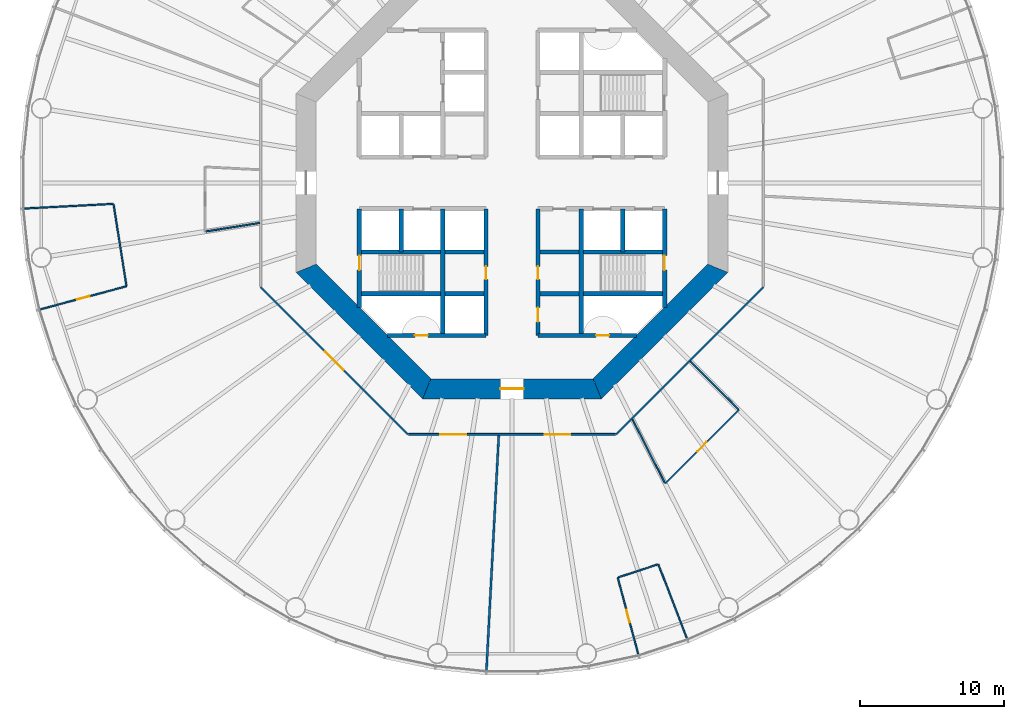
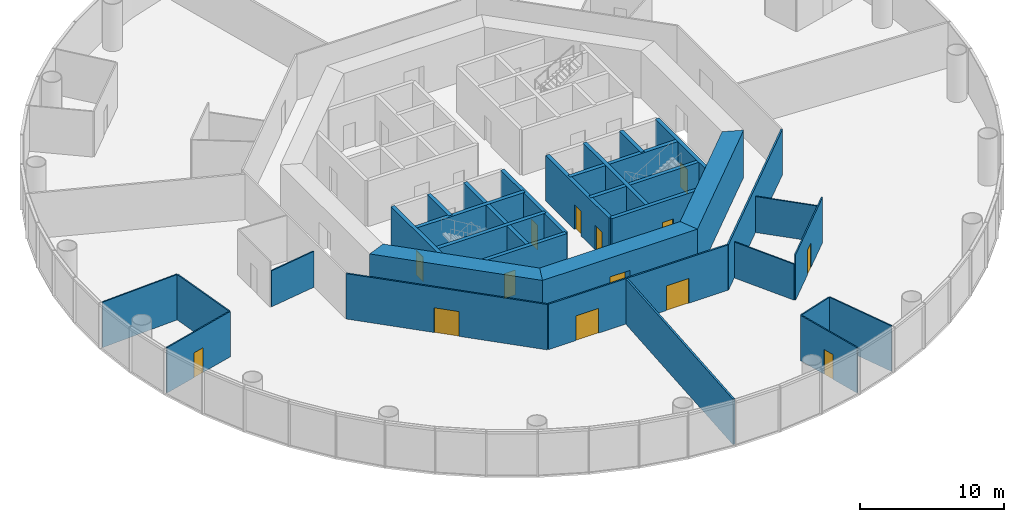
# One storey, part 3 of 12: 31 walls, 14 doors, 14 openings.
"""IFC4 building model written with IfcOpenShell, lengths in metres."""

from ifc_helpers import new_model, si_unit, direction, frame, frame_2d, origin, place, context, subcontext, project, spatial, polyline, rectangle, outline, extrude, material, layer, layer_set, type_object, element, fill, save


model = new_model("IFC4")

# Units and contexts
model_context = context("Model", 3, precision=1e-05, world=origin(), true_north=direction((0.0, 1.0)))
body_context = subcontext(model_context, "Body", "Model", "MODEL_VIEW")
ifc_project = project(units=[si_unit("LENGTHUNIT", "METRE"), si_unit("AREAUNIT", "SQUARE_METRE"), si_unit("VOLUMEUNIT", "CUBIC_METRE"), si_unit("PLANEANGLEUNIT", "RADIAN"), si_unit("MASSUNIT", "GRAM", prefix="KILO")], contexts=[model_context])

# Site, building, storey
site_placement = place(None, origin())
site = spatial("IfcSite", under=ifc_project, at=site_placement, CompositionType="ELEMENT")
building_placement = place(site_placement, origin())
building = spatial("IfcBuilding", under=site, at=building_placement, Name="Entoto Ring Tower", CompositionType="ELEMENT")
storey_placement = place(building_placement, frame((0.0, 0.0, 66.0)))
storey = spatial("IfcBuildingStorey", under=building, at=storey_placement, Name="L14", CompositionType="ELEMENT", Elevation=66.0)

# Wall, opening, door
ifc_material_1 = material(Name="Concrete C40/50", Category="concrete")
ifc_layer_1 = layer(ifc_material_1, 0.300048828125)
ifc_layer_set_1 = layer_set([ifc_layer_1], Name="Concrete C40/50")
wall_type_1 = type_object("IfcWallType", Name="Core enclosure wall 300 mm reinforced concrete", PredefinedType="SOLIDWALL", material=ifc_layer_set_1)
wall_1_placement = place(storey_placement, frame((100.60009765625, 71.36669921875, 0.0), z_axis=(0.0, 0.0, 1.0), x_axis=(0.0, 1.0, 0.0)))
wall_1 = element("IfcWall", 1, at=wall_1_placement, inside=storey, type_object=wall_type_1, Name="wall-L14-001", PredefinedType="SOLIDWALL", context=body_context, shape_type="SweptSolid", body=[
    extrude(rectangle(XDim=6.833251953125, YDim=0.300048828125, at=frame_2d((3.41650390625, 0.0))), origin(), (0.0, 0.0, 1.0), 3.85009765625),
])
opening_1_placement = place(wall_1_placement, frame((2.583251953125, 0.0, 0.0)))
opening_1 = element("IfcOpeningElement", 2, at=opening_1_placement, cuts=wall_1, Name="Opening K-61", PredefinedType="OPENING", context=body_context, shape_type="SweptSolid", body=[
    extrude(rectangle(XDim=1.0, YDim=2.10009765625, at=frame_2d((0.5, 1.050048828125))), frame((0.0, 0.16015625, 0.0), z_axis=(0.0, -1.0, 0.0), x_axis=(1.0, 0.0, 0.0)), (0.0, 0.0, 1.0), 0.320068359375),
])
ifc_material_2 = material(Name="Steel door leaf, fire rated", Category="steel")
ifc_layer_2 = layer(ifc_material_2, 0.050048828125)
ifc_layer_set_2 = layer_set([ifc_layer_2], Name="Steel door leaf, fire rated")
door_type_1 = type_object("IfcDoorType", Name="Fire door FD60 1000 x 2100 single leaf", OperationType="NOTDEFINED", PredefinedType="DOOR", material=ifc_layer_set_2)
door_1_placement = place(opening_1_placement, origin())
door_1 = element("IfcDoor", 3, at=door_1_placement, inside=storey, type_object=door_type_1, Name="Door K-61", OperationType="SINGLE_SWING_RIGHT", OverallHeight=2.10009765625, OverallWidth=1.0, PredefinedType="DOOR", context=body_context, shape_type="SweptSolid", body=[
    extrude(rectangle(XDim=1.0, YDim=2.10009765625, at=frame_2d((0.5, 1.050048828125))), frame((0.0, 0.02490234375, 0.0), z_axis=(0.0, -1.0, 0.0), x_axis=(1.0, 0.0, 0.0)), (0.0, 0.0, 1.0), 0.050048828125),
])
fill(opening_1, door_1)

# Walls
wall_2_placement = place(storey_placement, frame((97.699951171875, 75.199951171875, 0.0), z_axis=(0.0, 0.0, 1.0), x_axis=(0.0, 1.0, 0.0)))
element("IfcWall", 4, at=wall_2_placement, inside=storey, type_object=wall_type_1, Name="wall-L14-003", PredefinedType="SOLIDWALL", context=body_context, shape_type="SweptSolid", body=[
    extrude(rectangle(XDim=3.0, YDim=0.300048828125, at=frame_2d((1.5, 0.0))), origin(), (0.0, 0.0, 1.0), 3.85009765625),
])
wall_3_placement = place(storey_placement, frame((94.800048828125, 69.39990234375, 0.0), z_axis=(0.0, 0.0, 1.0), x_axis=(0.0, 1.0, 0.0)))
element("IfcWall", 5, at=wall_3_placement, inside=storey, type_object=wall_type_1, Name="wall-L14-005", PredefinedType="SOLIDWALL", context=body_context, shape_type="SweptSolid", body=[
    extrude(rectangle(XDim=8.800048828125, YDim=0.300048828125, at=frame_2d((4.39990234375, 0.0))), origin(), (0.0, 0.0, 1.0), 3.85009765625),
])

# Wall, openings, doors
wall_4_placement = place(storey_placement, frame((91.800048828125, 69.39990234375, 0.0), z_axis=(0.0, 0.0, 1.0), x_axis=(0.0, 1.0, 0.0)))
wall_4 = element("IfcWall", 6, at=wall_4_placement, inside=storey, type_object=wall_type_1, Name="wall-L14-007", PredefinedType="SOLIDWALL", context=body_context, shape_type="SweptSolid", body=[
    extrude(rectangle(XDim=8.800048828125, YDim=0.300048828125, at=frame_2d((4.39990234375, 0.0))), origin(), (0.0, 0.0, 1.0), 3.85009765625),
])
opening_2_placement = place(wall_4_placement, frame((3.89990234375, 0.0, 0.0)))
opening_2 = element("IfcOpeningElement", 7, at=opening_2_placement, cuts=wall_4, Name="Opening K-12", PredefinedType="OPENING", context=body_context, shape_type="SweptSolid", body=[
    extrude(rectangle(XDim=0.89990234375, YDim=2.10009765625, at=frame_2d((0.449951171875, 1.050048828125))), frame((0.0, 0.16015625, 0.0), z_axis=(0.0, -1.0, 0.0), x_axis=(1.0, 0.0, 0.0)), (0.0, 0.0, 1.0), 0.320068359375),
])
opening_3_placement = place(wall_4_placement, frame((0.949951171875, 0.0, 0.0)))
opening_3 = element("IfcOpeningElement", 8, at=opening_3_placement, cuts=wall_4, Name="Opening K-13", PredefinedType="OPENING", context=body_context, shape_type="SweptSolid", body=[
    extrude(rectangle(XDim=1.0, YDim=2.10009765625, at=frame_2d((0.5, 1.050048828125))), frame((0.0, 0.16015625, 0.0), z_axis=(0.0, -1.0, 0.0), x_axis=(1.0, 0.0, 0.0)), (0.0, 0.0, 1.0), 0.320068359375),
])
ifc_material_3 = material(Name="Steel door leaf, fire rated", Category="steel")
ifc_layer_3 = layer(ifc_material_3, 0.050048828125)
ifc_layer_set_3 = layer_set([ifc_layer_3], Name="Steel door leaf, fire rated")
door_type_2 = type_object("IfcDoorType", Name="Accessible door 1000 x 2100 single leaf", OperationType="NOTDEFINED", PredefinedType="DOOR", material=ifc_layer_set_3)
door_2_placement = place(opening_3_placement, frame((1.0, 0.0, 0.0), z_axis=(0.0, 0.0, 1.0), x_axis=(-1.0, 0.0, 0.0)))
door_2 = element("IfcDoor", 9, at=door_2_placement, inside=storey, type_object=door_type_2, Name="Door K-13", OperationType="SINGLE_SWING_LEFT", OverallHeight=2.10009765625, OverallWidth=1.0, PredefinedType="DOOR", context=body_context, shape_type="SweptSolid", body=[
    extrude(rectangle(XDim=1.0, YDim=2.10009765625, at=frame_2d((0.5, 1.050048828125))), frame((0.0, 0.02490234375, 0.0), z_axis=(0.0, -1.0, 0.0), x_axis=(1.0, 0.0, 0.0)), (0.0, 0.0, 1.0), 0.050048828125),
])
fill(opening_3, door_2)
ifc_material_4 = material(Name="Steel door leaf, fire rated", Category="steel")
ifc_layer_4 = layer(ifc_material_4, 0.050048828125)
ifc_layer_set_4 = layer_set([ifc_layer_4], Name="Steel door leaf, fire rated")
door_type_3 = type_object("IfcDoorType", Name="Core door 900 x 2100 single leaf", OperationType="NOTDEFINED", PredefinedType="DOOR", material=ifc_layer_set_4)
door_3_placement = place(opening_2_placement, frame((0.89990234375, 0.0, 0.0), z_axis=(0.0, 0.0, 1.0), x_axis=(-1.0, 0.0, 0.0)))
door_3 = element("IfcDoor", 10, at=door_3_placement, inside=storey, type_object=door_type_3, Name="Door K-12", OperationType="SINGLE_SWING_LEFT", OverallHeight=2.10009765625, OverallWidth=0.89990234375, PredefinedType="DOOR", context=body_context, shape_type="SweptSolid", body=[
    extrude(rectangle(XDim=0.89990234375, YDim=2.10009765625, at=frame_2d((0.449951171875, 1.050048828125))), frame((0.0, 0.02490234375, 0.0), z_axis=(0.0, -1.0, 0.0), x_axis=(1.0, 0.0, 0.0)), (0.0, 0.0, 1.0), 0.050048828125),
])
fill(opening_2, door_3)

# Wall, opening, door
wall_5_placement = place(storey_placement, frame((88.199951171875, 69.39990234375, 0.0), z_axis=(0.0, 0.0, 1.0), x_axis=(0.0, 1.0, 0.0)))
wall_5 = element("IfcWall", 11, at=wall_5_placement, inside=storey, type_object=wall_type_1, Name="wall-L14-009", PredefinedType="SOLIDWALL", context=body_context, shape_type="SweptSolid", body=[
    extrude(rectangle(XDim=8.800048828125, YDim=0.300048828125, at=frame_2d((4.39990234375, 0.0))), origin(), (0.0, 0.0, 1.0), 3.85009765625),
])
opening_4_placement = place(wall_5_placement, frame((3.89990234375, 0.0, 0.0)))
opening_4 = element("IfcOpeningElement", 12, at=opening_4_placement, cuts=wall_5, Name="Opening K-14", PredefinedType="OPENING", context=body_context, shape_type="SweptSolid", body=[
    extrude(rectangle(XDim=0.89990234375, YDim=2.10009765625, at=frame_2d((0.449951171875, 1.050048828125))), frame((0.0, 0.16015625, 0.0), z_axis=(0.0, -1.0, 0.0), x_axis=(1.0, 0.0, 0.0)), (0.0, 0.0, 1.0), 0.320068359375),
])
door_4_placement = place(opening_4_placement, origin())
door_4 = element("IfcDoor", 13, at=door_4_placement, inside=storey, type_object=door_type_3, Name="Door K-14", OperationType="SINGLE_SWING_RIGHT", OverallHeight=2.10009765625, OverallWidth=0.89990234375, PredefinedType="DOOR", context=body_context, shape_type="SweptSolid", body=[
    extrude(rectangle(XDim=0.89990234375, YDim=2.10009765625, at=frame_2d((0.449951171875, 1.050048828125))), frame((0.0, 0.02490234375, 0.0), z_axis=(0.0, -1.0, 0.0), x_axis=(1.0, 0.0, 0.0)), (0.0, 0.0, 1.0), 0.050048828125),
])
fill(opening_4, door_4)

# Walls
wall_6_placement = place(storey_placement, frame((85.199951171875, 69.39990234375, 0.0), z_axis=(0.0, 0.0, 1.0), x_axis=(0.0, 1.0, 0.0)))
element("IfcWall", 14, at=wall_6_placement, inside=storey, type_object=wall_type_1, Name="wall-L14-011", PredefinedType="SOLIDWALL", context=body_context, shape_type="SweptSolid", body=[
    extrude(rectangle(XDim=8.800048828125, YDim=0.300048828125, at=frame_2d((4.39990234375, 0.0))), origin(), (0.0, 0.0, 1.0), 3.85009765625),
])
wall_7_placement = place(storey_placement, frame((82.300048828125, 75.199951171875, 0.0), z_axis=(0.0, 0.0, 1.0), x_axis=(0.0, 1.0, 0.0)))
element("IfcWall", 15, at=wall_7_placement, inside=storey, type_object=wall_type_1, Name="wall-L14-013", PredefinedType="SOLIDWALL", context=body_context, shape_type="SweptSolid", body=[
    extrude(rectangle(XDim=3.0, YDim=0.300048828125, at=frame_2d((1.5, 0.0))), origin(), (0.0, 0.0, 1.0), 3.85009765625),
])

# Wall, opening, door
wall_8_placement = place(storey_placement, frame((79.39990234375, 71.36669921875, 0.0), z_axis=(0.0, 0.0, 1.0), x_axis=(0.0, 1.0, 0.0)))
wall_8 = element("IfcWall", 16, at=wall_8_placement, inside=storey, type_object=wall_type_1, Name="wall-L14-015", PredefinedType="SOLIDWALL", context=body_context, shape_type="SweptSolid", body=[
    extrude(rectangle(XDim=6.833251953125, YDim=0.300048828125, at=frame_2d((3.41650390625, 0.0))), origin(), (0.0, 0.0, 1.0), 3.85009765625),
])
opening_5_placement = place(wall_8_placement, frame((2.583251953125, 0.0, 0.0)))
opening_5 = element("IfcOpeningElement", 17, at=opening_5_placement, cuts=wall_8, Name="Opening K-59", PredefinedType="OPENING", context=body_context, shape_type="SweptSolid", body=[
    extrude(rectangle(XDim=1.0, YDim=2.10009765625, at=frame_2d((0.5, 1.050048828125))), frame((0.0, 0.16015625, 0.0), z_axis=(0.0, -1.0, 0.0), x_axis=(1.0, 0.0, 0.0)), (0.0, 0.0, 1.0), 0.320068359375),
])
door_5_placement = place(opening_5_placement, frame((1.0, 0.0, 0.0), z_axis=(0.0, 0.0, 1.0), x_axis=(-1.0, 0.0, 0.0)))
door_5 = element("IfcDoor", 18, at=door_5_placement, inside=storey, type_object=door_type_1, Name="Door K-59", OperationType="SINGLE_SWING_LEFT", OverallHeight=2.10009765625, OverallWidth=1.0, PredefinedType="DOOR", context=body_context, shape_type="SweptSolid", body=[
    extrude(rectangle(XDim=1.0, YDim=2.10009765625, at=frame_2d((0.5, 1.050048828125))), frame((0.0, 0.02490234375, 0.0), z_axis=(0.0, -1.0, 0.0), x_axis=(1.0, 0.0, 0.0)), (0.0, 0.0, 1.0), 0.050048828125),
])
fill(opening_5, door_5)

wall_9_placement = place(storey_placement, frame((81.36669921875, 69.39990234375, 0.0), z_axis=(0.0, 0.0, 1.0), x_axis=(1.0, 0.0, 0.0)))
wall_9 = element("IfcWall", 19, at=wall_9_placement, inside=storey, type_object=wall_type_1, Name="wall-L14-017", PredefinedType="SOLIDWALL", context=body_context, shape_type="SweptSolid", body=[
    extrude(rectangle(XDim=6.833251953125, YDim=0.300048828125, at=frame_2d((3.41650390625, 0.0))), origin(), (0.0, 0.0, 1.0), 3.85009765625),
])
opening_6_placement = place(wall_9_placement, frame((1.88330078125, 0.0, 0.0)))
opening_6 = element("IfcOpeningElement", 20, at=opening_6_placement, cuts=wall_9, Name="Opening K-66", PredefinedType="OPENING", context=body_context, shape_type="SweptSolid", body=[
    extrude(rectangle(XDim=0.89990234375, YDim=2.10009765625, at=frame_2d((0.449951171875, 1.050048828125))), frame((0.0, 0.16015625, 0.0), z_axis=(0.0, -1.0, 0.0), x_axis=(1.0, 0.0, 0.0)), (0.0, 0.0, 1.0), 0.320068359375),
])
ifc_material_5 = material(Name="Steel door leaf, fire rated", Category="steel")
ifc_layer_5 = layer(ifc_material_5, 0.050048828125)
ifc_layer_set_5 = layer_set([ifc_layer_5], Name="Steel door leaf, fire rated")
door_type_4 = type_object("IfcDoorType", Name="Riser door FD60 900 x 2100 single leaf", OperationType="NOTDEFINED", PredefinedType="DOOR", material=ifc_layer_set_5)
door_6_placement = place(opening_6_placement, origin())
door_6 = element("IfcDoor", 21, at=door_6_placement, inside=storey, type_object=door_type_4, Name="Door K-66", OperationType="SINGLE_SWING_RIGHT", OverallHeight=2.10009765625, OverallWidth=0.89990234375, PredefinedType="DOOR", context=body_context, shape_type="SweptSolid", body=[
    extrude(rectangle(XDim=0.89990234375, YDim=2.10009765625, at=frame_2d((0.449951171875, 1.050048828125))), frame((0.0, 0.02490234375, 0.0), z_axis=(0.0, -1.0, 0.0), x_axis=(1.0, 0.0, 0.0)), (0.0, 0.0, 1.0), 0.050048828125),
])
fill(opening_6, door_6)

wall_10_placement = place(storey_placement, frame((91.800048828125, 69.39990234375, 0.0), z_axis=(0.0, 0.0, 1.0), x_axis=(1.0, 0.0, 0.0)))
wall_10 = element("IfcWall", 22, at=wall_10_placement, inside=storey, type_object=wall_type_1, Name="wall-L14-018", PredefinedType="SOLIDWALL", context=body_context, shape_type="SweptSolid", body=[
    extrude(rectangle(XDim=6.833251953125, YDim=0.300048828125, at=frame_2d((3.41650390625, 0.0))), origin(), (0.0, 0.0, 1.0), 3.85009765625),
])
opening_7_placement = place(wall_10_placement, frame((4.050048828125, 0.0, 0.0)))
opening_7 = element("IfcOpeningElement", 23, at=opening_7_placement, cuts=wall_10, Name="Opening K-68", PredefinedType="OPENING", context=body_context, shape_type="SweptSolid", body=[
    extrude(rectangle(XDim=0.89990234375, YDim=2.10009765625, at=frame_2d((0.449951171875, 1.050048828125))), frame((0.0, 0.16015625, 0.0), z_axis=(0.0, -1.0, 0.0), x_axis=(1.0, 0.0, 0.0)), (0.0, 0.0, 1.0), 0.320068359375),
])
door_7_placement = place(opening_7_placement, origin())
door_7 = element("IfcDoor", 24, at=door_7_placement, inside=storey, type_object=door_type_4, Name="Door K-68", OperationType="SINGLE_SWING_LEFT", OverallHeight=2.10009765625, OverallWidth=0.89990234375, PredefinedType="DOOR", context=body_context, shape_type="SweptSolid", body=[
    extrude(rectangle(XDim=0.89990234375, YDim=2.10009765625, at=frame_2d((0.449951171875, 1.050048828125))), frame((0.0, 0.02490234375, 0.0), z_axis=(0.0, -1.0, 0.0), x_axis=(1.0, 0.0, 0.0)), (0.0, 0.0, 1.0), 0.050048828125),
])
fill(opening_7, door_7)

# Walls
for number, where, z_axis, x_axis, name in (
    (25, (79.39990234375, 72.300048828125, 0.0), (0.0, 0.0, 1.0), (1.0, 0.0, 0.0), "wall-L14-019"),
    (26, (91.800048828125, 72.300048828125, 0.0), (0.0, 0.0, 1.0), (1.0, 0.0, 0.0), "wall-L14-020"),
    (27, (79.39990234375, 75.199951171875, 0.0), (0.0, 0.0, 1.0), (1.0, 0.0, 0.0), "wall-L14-021"),
    (28, (91.800048828125, 75.199951171875, 0.0), (0.0, 0.0, 1.0), (1.0, 0.0, 0.0), "wall-L14-022"),
):
    element("IfcWall", number, at=place(storey_placement, frame(where, z_axis=z_axis, x_axis=x_axis)), inside=storey, type_object=wall_type_1, Name=name, PredefinedType="SOLIDWALL", context=body_context, shape_type="SweptSolid", body=[
        extrude(rectangle(XDim=8.800048828125, YDim=0.300048828125, at=frame_2d((4.39990234375, 0.0))), origin(), (0.0, 0.0, 1.0), 3.85009765625),
    ])
ifc_material_6 = material(Name="Concrete C60/75", Category="concrete")
ifc_layer_6 = layer(ifc_material_6, 1.39990234375)
ifc_layer_set_6 = layer_set([ifc_layer_6], Name="Concrete C60/75")
wall_type_2 = type_object("IfcWallType", Name="Core shear wall 1400 mm reinforced concrete C60/75", PredefinedType="SHEAR", material=ifc_layer_set_6)
wall_11_placement = place(storey_placement, frame((75.699951171875, 74.07666015625, 0.0), z_axis=(0.0, 0.0, 1.0), x_axis=(0.707106781187, -0.707106781187, 0.0)))
element("IfcWall", 29, at=wall_11_placement, inside=storey, type_object=wall_type_2, Name="wall-L14-core-5", PredefinedType="SHEAR", context=body_context, shape_type="SweptSolid", body=[
    extrude(outline(polyline([(-0.2900390625, -0.699951171875), (12.136474609375, -0.699951171875), (11.556396484375, 0.699951171875), (0.2900390625, 0.699951171875), (-0.2900390625, -0.699951171875)])), origin(), (0.0, 0.0, 1.0), 4.0),
])

# Wall, opening, door
wall_12_placement = place(storey_placement, frame((84.07666015625, 65.699951171875, 0.0), z_axis=(0.0, 0.0, 1.0), x_axis=(1.0, 0.0, 0.0)))
wall_12 = element("IfcWall", 30, at=wall_12_placement, inside=storey, type_object=wall_type_2, Name="wall-L14-core-6", PredefinedType="SHEAR", context=body_context, shape_type="SweptSolid", body=[
    extrude(outline(polyline([(-0.2900390625, -0.699951171875), (12.13671875, -0.699951171875), (11.556640625, 0.699951171875), (0.2900390625, 0.699951171875), (-0.2900390625, -0.699951171875)])), origin(), (0.0, 0.0, 1.0), 4.0),
])
opening_8_placement = place(wall_12_placement, frame((5.123291015625, 0.0, 0.0)))
opening_8 = element("IfcOpeningElement", 31, at=opening_8_placement, cuts=wall_12, Name="Opening K-04", PredefinedType="OPENING", context=body_context, shape_type="SweptSolid", body=[
    extrude(rectangle(XDim=1.60009765625, YDim=2.39990234375, at=frame_2d((0.800048828125, 1.199951171875))), frame((0.0, 0.7099609375, 0.0), z_axis=(0.0, -1.0, 0.0), x_axis=(1.0, 0.0, 0.0)), (0.0, 0.0, 1.0), 1.419921875),
])
ifc_material_7 = material(Name="Steel door leaf, fire rated", Category="steel")
ifc_layer_7 = layer(ifc_material_7, 0.050048828125)
ifc_layer_set_7 = layer_set([ifc_layer_7], Name="Steel door leaf, fire rated")
door_type_5 = type_object("IfcDoorType", Name="Entrance door FD60 1600 x 2400 double leaf", OperationType="DOUBLE_DOOR_SINGLE_SWING", PredefinedType="DOOR", material=ifc_layer_set_7)
door_8_placement = place(opening_8_placement, origin())
door_8 = element("IfcDoor", 32, at=door_8_placement, inside=storey, type_object=door_type_5, Name="Entrance door K-04", OperationType="DOUBLE_DOOR_SINGLE_SWING", OverallHeight=2.39990234375, OverallWidth=1.60009765625, PredefinedType="DOOR", context=body_context, shape_type="SweptSolid", body=[
    extrude(rectangle(XDim=1.60009765625, YDim=2.39990234375, at=frame_2d((0.800048828125, 1.199951171875))), frame((0.0, 0.02490234375, 0.0), z_axis=(0.0, -1.0, 0.0), x_axis=(1.0, 0.0, 0.0)), (0.0, 0.0, 1.0), 0.050048828125),
])
fill(opening_8, door_8)

# Wall
wall_13_placement = place(storey_placement, frame((95.92333984375, 65.699951171875, 0.0), z_axis=(0.0, 0.0, 1.0), x_axis=(0.707106781187, 0.707106781187, 0.0)))
element("IfcWall", 33, at=wall_13_placement, inside=storey, type_object=wall_type_2, Name="wall-L14-core-7", PredefinedType="SHEAR", context=body_context, shape_type="SweptSolid", body=[
    extrude(outline(polyline([(-0.2900390625, -0.699951171875), (12.136474609375, -0.699951171875), (11.556396484375, 0.699951171875), (0.2900390625, 0.699951171875), (-0.2900390625, -0.699951171875)])), origin(), (0.0, 0.0, 1.0), 4.0),
])

# Wall, opening, door
ifc_material_8 = material(Name="Fire-resisting plasterboard on steel studs", Category="steel")
ifc_layer_8 = layer(ifc_material_8, 0.125)
ifc_layer_set_8 = layer_set([ifc_layer_8], Name="Fire-resisting plasterboard on steel studs")
wall_type_3 = type_object("IfcWallType", Name="Corridor wall 125 mm one-hour plasterboard on steel studs", PredefinedType="PARTITIONING", material=ifc_layer_set_8)
wall_14_placement = place(storey_placement, frame((82.766845703125, 62.53759765625, 0.0), z_axis=(0.0, 0.0, 1.0), x_axis=(-0.707106781187, 0.707106781187, 0.0)))
wall_14 = element("IfcWall", 34, at=wall_14_placement, inside=storey, type_object=wall_type_3, Name="partition-L14-002", PredefinedType="PARTITIONING", context=body_context, shape_type="SweptSolid", body=[
    extrude(rectangle(XDim=14.46630859375, YDim=0.125, at=frame_2d((7.233154296875, 0.0))), origin(), (0.0, 0.0, 1.0), 3.85009765625),
])
opening_9_placement = place(wall_14_placement, frame((6.333251953125, 0.0, 0.0)))
opening_9 = element("IfcOpeningElement", 35, at=opening_9_placement, cuts=wall_14, Name="Opening A06-D08", PredefinedType="OPENING", context=body_context, shape_type="SweptSolid", body=[
    extrude(rectangle(XDim=1.800048828125, YDim=2.10009765625, at=frame_2d((0.89990234375, 1.050048828125))), frame((0.0, 0.072509765625, 0.0), z_axis=(0.0, -1.0, 0.0), x_axis=(1.0, 0.0, 0.0)), (0.0, 0.0, 1.0), 0.14501953125),
])
ifc_material_9 = material(Name="Fire-resisting timber door set", Category="wood")
door_type_6 = type_object("IfcDoorType", Name="Door 1800 x 2100 double leaf FD30S fire door", OperationType="DOUBLE_DOOR_SINGLE_SWING", PredefinedType="DOOR", material=ifc_material_9)
door_9_placement = place(opening_9_placement, frame((1.800048828125, 0.0, 0.0), z_axis=(0.0, 0.0, 1.0), x_axis=(-1.0, 0.0, 0.0)))
door_9 = element("IfcDoor", 36, at=door_9_placement, inside=storey, type_object=door_type_6, Name="Door A06-D08", OperationType="DOUBLE_DOOR_SINGLE_SWING", OverallHeight=2.10009765625, OverallWidth=1.800048828125, PredefinedType="DOOR", context=body_context, shape_type="SweptSolid", body=[
    extrude(rectangle(XDim=1.800048828125, YDim=2.10009765625, at=frame_2d((0.89990234375, 1.050048828125))), frame((0.0, 0.02490234375, 0.0), z_axis=(0.0, -1.0, 0.0), x_axis=(1.0, 0.0, 0.0)), (0.0, 0.0, 1.0), 0.050048828125),
])
fill(opening_9, door_9)

# Wall
wall_15_placement = place(storey_placement, frame((97.233154296875, 62.53759765625, 0.0), z_axis=(0.0, 0.0, 1.0), x_axis=(0.707106781187, 0.707106781187, 0.0)))
element("IfcWall", 37, at=wall_15_placement, inside=storey, type_object=wall_type_3, Name="partition-L14-003", PredefinedType="PARTITIONING", context=body_context, shape_type="SweptSolid", body=[
    extrude(rectangle(XDim=14.46630859375, YDim=0.125, at=frame_2d((7.233154296875, 0.0))), origin(), (0.0, 0.0, 1.0), 3.85009765625),
])

# Wall, openings, doors
wall_16_placement = place(storey_placement, frame((82.810791015625, 62.53759765625, 0.0), z_axis=(0.0, 0.0, 1.0), x_axis=(1.0, 0.0, 0.0)))
wall_16 = element("IfcWall", 38, at=wall_16_placement, inside=storey, type_object=wall_type_3, Name="partition-L14-006", PredefinedType="PARTITIONING", context=body_context, shape_type="SweptSolid", body=[
    extrude(rectangle(XDim=14.37841796875, YDim=0.125, at=frame_2d((7.189208984375, 0.0))), origin(), (0.0, 0.0, 1.0), 3.85009765625),
])
opening_10_placement = place(wall_16_placement, frame((2.215087890625, 0.0, 0.0)))
opening_10 = element("IfcOpeningElement", 39, at=opening_10_placement, cuts=wall_16, Name="Opening A06-D09", PredefinedType="OPENING", context=body_context, shape_type="SweptSolid", body=[
    extrude(rectangle(XDim=1.800048828125, YDim=2.10009765625, at=frame_2d((0.89990234375, 1.050048828125))), frame((0.0, 0.072509765625, 0.0), z_axis=(0.0, -1.0, 0.0), x_axis=(1.0, 0.0, 0.0)), (0.0, 0.0, 1.0), 0.14501953125),
])
opening_11_placement = place(wall_16_placement, frame((9.4482421875, 0.0, 0.0)))
opening_11 = element("IfcOpeningElement", 40, at=opening_11_placement, cuts=wall_16, Name="Opening A06-D12", PredefinedType="OPENING", context=body_context, shape_type="SweptSolid", body=[
    extrude(rectangle(XDim=1.800048828125, YDim=2.10009765625, at=frame_2d((0.89990234375, 1.050048828125))), frame((0.0, 0.072509765625, 0.0), z_axis=(0.0, -1.0, 0.0), x_axis=(1.0, 0.0, 0.0)), (0.0, 0.0, 1.0), 0.14501953125),
])
door_10_placement = place(opening_10_placement, origin())
door_10 = element("IfcDoor", 41, at=door_10_placement, inside=storey, type_object=door_type_6, Name="Door A06-D09", OperationType="DOUBLE_DOOR_SINGLE_SWING", OverallHeight=2.10009765625, OverallWidth=1.800048828125, PredefinedType="DOOR", context=body_context, shape_type="SweptSolid", body=[
    extrude(rectangle(XDim=1.800048828125, YDim=2.10009765625, at=frame_2d((0.89990234375, 1.050048828125))), frame((0.0, 0.02490234375, 0.0), z_axis=(0.0, -1.0, 0.0), x_axis=(1.0, 0.0, 0.0)), (0.0, 0.0, 1.0), 0.050048828125),
])
fill(opening_10, door_10)
door_11_placement = place(opening_11_placement, origin())
door_11 = element("IfcDoor", 42, at=door_11_placement, inside=storey, type_object=door_type_6, Name="Door A06-D12", OperationType="DOUBLE_DOOR_SINGLE_SWING", OverallHeight=2.10009765625, OverallWidth=1.800048828125, PredefinedType="DOOR", context=body_context, shape_type="SweptSolid", body=[
    extrude(rectangle(XDim=1.800048828125, YDim=2.10009765625, at=frame_2d((0.89990234375, 1.050048828125))), frame((0.0, 0.02490234375, 0.0), z_axis=(0.0, -1.0, 0.0), x_axis=(1.0, 0.0, 0.0)), (0.0, 0.0, 1.0), 0.050048828125),
])
fill(opening_11, door_11)

# Wall, opening, door
ifc_material_10 = material(Name="Plasterboard on steel studs", Category="steel")
ifc_layer_9 = layer(ifc_material_10, 0.10009765625)
ifc_layer_set_9 = layer_set([ifc_layer_9], Name="Plasterboard on steel studs")
wall_type_4 = type_object("IfcWallType", Name="Partition 100 mm plasterboard on steel studs", PredefinedType="PARTITIONING", material=ifc_layer_set_9)
wall_17_placement = place(storey_placement, frame((100.641357421875, 59.114990234375, 0.0), z_axis=(0.0, 0.0, 1.0), x_axis=(0.707106781187, 0.707106781187, 0.0)))
wall_17 = element("IfcWall", 43, at=wall_17_placement, inside=storey, type_object=wall_type_4, Name="partition-L14-013", PredefinedType="PARTITIONING", context=body_context, shape_type="SweptSolid", body=[
    extrude(rectangle(XDim=7.243408203125, YDim=0.10009765625, at=frame_2d((3.62158203125, 0.0))), origin(), (0.0, 0.0, 1.0), 3.85009765625),
])
opening_12_placement = place(wall_17_placement, frame((3.171630859375, 0.0, 0.0)))
opening_12 = element("IfcOpeningElement", 44, at=opening_12_placement, cuts=wall_17, Name="Opening A06-D13", PredefinedType="OPENING", context=body_context, shape_type="SweptSolid", body=[
    extrude(rectangle(XDim=0.89990234375, YDim=2.10009765625, at=frame_2d((0.449951171875, 1.050048828125))), frame((0.0, 0.06005859375, 0.0), z_axis=(0.0, -1.0, 0.0), x_axis=(1.0, 0.0, 0.0)), (0.0, 0.0, 1.0), 0.1201171875),
])
ifc_material_11 = material(Name="Veneered timber door leaf in timber frame", Category="wood")
door_type_7 = type_object("IfcDoorType", Name="Door 900 x 2100 single leaf timber veneer", OperationType="NOTDEFINED", PredefinedType="DOOR", material=ifc_material_11)
door_12_placement = place(opening_12_placement, origin())
door_12 = element("IfcDoor", 45, at=door_12_placement, inside=storey, type_object=door_type_7, Name="Door A06-D13", OperationType="SINGLE_SWING_LEFT", OverallHeight=2.10009765625, OverallWidth=0.89990234375, PredefinedType="DOOR", context=body_context, shape_type="SweptSolid", body=[
    extrude(rectangle(XDim=0.89990234375, YDim=2.10009765625, at=frame_2d((0.449951171875, 1.050048828125))), frame((0.0, 0.02490234375, 0.0), z_axis=(0.0, -1.0, 0.0), x_axis=(1.0, 0.0, 0.0)), (0.0, 0.0, 1.0), 0.050048828125),
])
fill(opening_12, door_12)

wall_18_placement = place(storey_placement, frame((57.216552734375, 71.2158203125, 0.0), z_axis=(0.0, 0.0, 1.0), x_axis=(0.965935262411, 0.258783826449, 0.0)))
wall_18 = element("IfcWall", 46, at=wall_18_placement, inside=storey, type_object=wall_type_4, Name="partition-L14-014", PredefinedType="PARTITIONING", context=body_context, shape_type="SweptSolid", body=[
    extrude(rectangle(XDim=6.219970703125, YDim=0.10009765625, at=frame_2d((3.10986328125, 0.0))), origin(), (0.0, 0.0, 1.0), 3.85009765625),
])
opening_13_placement = place(wall_18_placement, frame((2.659912109375, 0.0, 0.0)))
opening_13 = element("IfcOpeningElement", 47, at=opening_13_placement, cuts=wall_18, Name="Opening A06-D11", PredefinedType="OPENING", context=body_context, shape_type="SweptSolid", body=[
    extrude(rectangle(XDim=0.89990234375, YDim=2.10009765625, at=frame_2d((0.449951171875, 1.050048828125))), frame((0.0, 0.06005859375, 0.0), z_axis=(0.0, -1.0, 0.0), x_axis=(1.0, 0.0, 0.0)), (0.0, 0.0, 1.0), 0.1201171875),
])
door_13_placement = place(opening_13_placement, origin())
door_13 = element("IfcDoor", 48, at=door_13_placement, inside=storey, type_object=door_type_7, Name="Door A06-D11", OperationType="SINGLE_SWING_LEFT", OverallHeight=2.10009765625, OverallWidth=0.89990234375, PredefinedType="DOOR", context=body_context, shape_type="SweptSolid", body=[
    extrude(rectangle(XDim=0.89990234375, YDim=2.10009765625, at=frame_2d((0.449951171875, 1.050048828125))), frame((0.0, 0.02490234375, 0.0), z_axis=(0.0, -1.0, 0.0), x_axis=(1.0, 0.0, 0.0)), (0.0, 0.0, 1.0), 0.050048828125),
])
fill(opening_13, door_13)

# Walls
wall_19_placement = place(storey_placement, frame((56.1064453125, 78.2236328125, 0.0), z_axis=(0.0, 0.0, 1.0), x_axis=(0.998628326506, 0.052359005917, 0.0)))
element("IfcWall", 49, at=wall_19_placement, inside=storey, type_object=wall_type_4, Name="partition-L14-015", PredefinedType="PARTITIONING", context=body_context, shape_type="SweptSolid", body=[
    extrude(rectangle(XDim=6.22021484375, YDim=0.10009765625, at=frame_2d((3.110107421875, 0.0))), origin(), (0.0, 0.0, 1.0), 3.85009765625),
])
wall_20_placement = place(storey_placement, frame((63.216796875, 72.87451171875, 0.0), z_axis=(0.0, 0.0, 1.0), x_axis=(-0.156448988699, 0.987686040164, 0.0)))
element("IfcWall", 50, at=wall_20_placement, inside=storey, type_object=wall_type_4, Name="partition-L14-019", PredefinedType="PARTITIONING", context=body_context, shape_type="SweptSolid", body=[
    extrude(rectangle(XDim=5.69580078125, YDim=0.10009765625, at=frame_2d((2.847900390625, 0.0))), origin(), (0.0, 0.0, 1.0), 3.85009765625),
])

# Wall, opening, door
wall_21_placement = place(storey_placement, frame((98.7841796875, 47.216552734375, 0.0), z_axis=(0.0, 0.0, 1.0), x_axis=(-0.258786477132, 0.965934552262, 0.0)))
wall_21 = element("IfcWall", 51, at=wall_21_placement, inside=storey, type_object=wall_type_4, Name="partition-L14-020", PredefinedType="PARTITIONING", context=body_context, shape_type="SweptSolid", body=[
    extrude(rectangle(XDim=5.56982421875, YDim=0.10009765625, at=frame_2d((2.784912109375, 0.0))), origin(), (0.0, 0.0, 1.0), 3.85009765625),
])
opening_14_placement = place(wall_21_placement, frame((2.3349609375, 0.0, 0.0)))
opening_14 = element("IfcOpeningElement", 52, at=opening_14_placement, cuts=wall_21, Name="Opening A06-D14", PredefinedType="OPENING", context=body_context, shape_type="SweptSolid", body=[
    extrude(rectangle(XDim=0.89990234375, YDim=2.10009765625, at=frame_2d((0.449951171875, 1.050048828125))), frame((0.0, 0.06005859375, 0.0), z_axis=(0.0, -1.0, 0.0), x_axis=(1.0, 0.0, 0.0)), (0.0, 0.0, 1.0), 0.1201171875),
])
door_14_placement = place(opening_14_placement, frame((0.89990234375, 0.0, 0.0), z_axis=(0.0, 0.0, 1.0), x_axis=(-1.0, 0.0, 0.0)))
door_14 = element("IfcDoor", 53, at=door_14_placement, inside=storey, type_object=door_type_7, Name="Door A06-D14", OperationType="SINGLE_SWING_RIGHT", OverallHeight=2.10009765625, OverallWidth=0.89990234375, PredefinedType="DOOR", context=body_context, shape_type="SweptSolid", body=[
    extrude(rectangle(XDim=0.89990234375, YDim=2.10009765625, at=frame_2d((0.449951171875, 1.050048828125))), frame((0.0, 0.02490234375, 0.0), z_axis=(0.0, -1.0, 0.0), x_axis=(1.0, 0.0, 0.0)), (0.0, 0.0, 1.0), 0.050048828125),
])
fill(opening_14, door_14)

# Walls
wall_22_placement = place(storey_placement, frame((102.1630859375, 48.314208984375, 0.0), z_axis=(0.0, 0.0, 1.0), x_axis=(-0.358356338388, 0.93358488352, 0.0)))
element("IfcWall", 54, at=wall_22_placement, inside=storey, type_object=wall_type_4, Name="partition-L14-021", PredefinedType="PARTITIONING", context=body_context, shape_type="SweptSolid", body=[
    extrude(rectangle(XDim=5.570068359375, YDim=0.10009765625, at=frame_2d((2.78515625, 0.0))), origin(), (0.0, 0.0, 1.0), 3.85009765625),
])
wall_23_placement = place(storey_placement, frame((97.39013671875, 52.612060546875, 0.0), z_axis=(0.0, 0.0, 1.0), x_axis=(0.951063449042, 0.30899565676, 0.0)))
element("IfcWall", 55, at=wall_23_placement, inside=storey, type_object=wall_type_4, Name="partition-L14-035", PredefinedType="PARTITIONING", context=body_context, shape_type="SweptSolid", body=[
    extrude(rectangle(XDim=2.86962890625, YDim=0.10009765625, at=frame_2d((1.434814453125, 0.0))), origin(), (0.0, 0.0, 1.0), 3.85009765625),
])
ifc_material_12 = material(Name="Plasterboard on steel studs", Category="steel")
ifc_layer_10 = layer(ifc_material_12, 0.10009765625)
ifc_layer_set_10 = layer_set([ifc_layer_10], Name="Plasterboard on steel studs")
wall_type_5 = type_object("IfcWallType", Name="Partition 100 mm plasterboard on steel studs, 3050 mm high", PredefinedType="PARTITIONING", material=ifc_layer_set_10)
wall_24_placement = place(storey_placement, frame((100.610107421875, 59.17626953125, 0.0), z_axis=(0.0, 0.0, 1.0), x_axis=(-0.453997767656, 0.891002820962, 0.0)))
element("IfcWall", 56, at=wall_24_placement, inside=storey, type_object=wall_type_5, Name="partition-L14-022", PredefinedType="PARTITIONING", context=body_context, shape_type="SweptSolid", body=[
    extrude(rectangle(XDim=4.927978515625, YDim=0.10009765625, at=frame_2d((2.4638671875, 0.0))), origin(), (0.0, 0.0, 1.0), 3.050048828125),
])
wall_25_placement = place(storey_placement, frame((105.727783203125, 64.272216796875, 0.0), z_axis=(0.0, 0.0, 1.0), x_axis=(-0.707106781187, 0.707106781187, 0.0)))
element("IfcWall", 57, at=wall_25_placement, inside=storey, type_object=wall_type_5, Name="partition-L14-023", PredefinedType="PARTITIONING", context=body_context, shape_type="SweptSolid", body=[
    extrude(rectangle(XDim=4.71728515625, YDim=0.10009765625, at=frame_2d((2.358642578125, 0.0))), origin(), (0.0, 0.0, 1.0), 3.050048828125),
])
wall_26_placement = place(storey_placement, frame((68.7451171875, 76.633544921875, 0.0), z_axis=(0.0, 0.0, 1.0), x_axis=(0.987685629628, 0.156451580451, 0.0)))
element("IfcWall", 58, at=wall_26_placement, inside=storey, type_object=wall_type_5, Name="partition-L14-031", PredefinedType="PARTITIONING", context=body_context, shape_type="SweptSolid", body=[
    extrude(rectangle(XDim=3.7685546875, YDim=0.10009765625, at=frame_2d((1.88427734375, 0.0))), origin(), (0.0, 0.0, 1.0), 3.050048828125),
])
ifc_material_13 = material(Name="Fire-resisting acoustic plasterboard on steel studs", Category="steel")
ifc_layer_11 = layer(ifc_material_13, 0.14990234375)
ifc_layer_set_11 = layer_set([ifc_layer_11], Name="Fire-resisting acoustic plasterboard on steel studs")
wall_type_6 = type_object("IfcWallType", Name="Party wall 150 mm one-hour acoustic plasterboard on steel studs", PredefinedType="PARTITIONING", material=ifc_layer_set_11)
wall_27_placement = place(storey_placement, frame((88.2236328125, 46.1064453125, 0.0), z_axis=(0.0, 0.0, 1.0), x_axis=(0.052337539372, 0.998629451785, 0.0)))
element("IfcWall", 59, at=wall_27_placement, inside=storey, type_object=wall_type_6, Name="partition-L14-009", PredefinedType="PARTITIONING", context=body_context, shape_type="SweptSolid", body=[
    extrude(rectangle(XDim=16.38720703125, YDim=0.14990234375, at=frame_2d((8.193603515625, 0.0))), origin(), (0.0, 0.0, 1.0), 3.85009765625),
])

save(model, "model.ifc")
